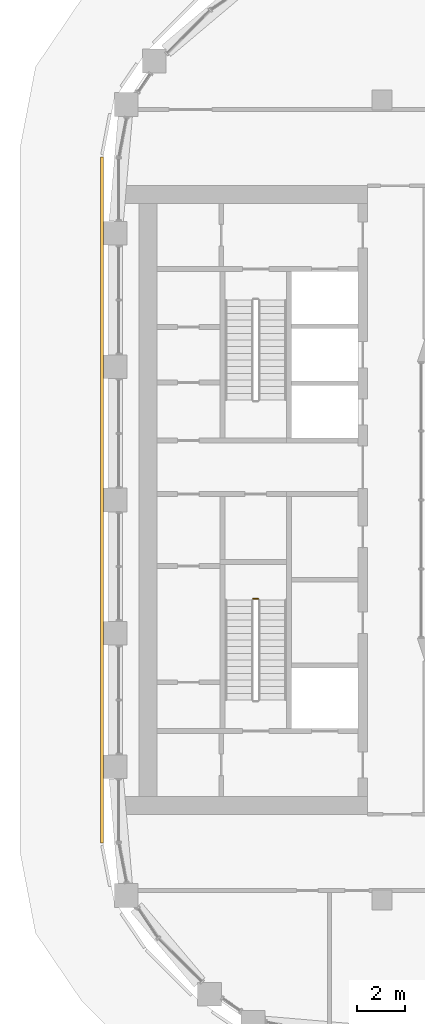
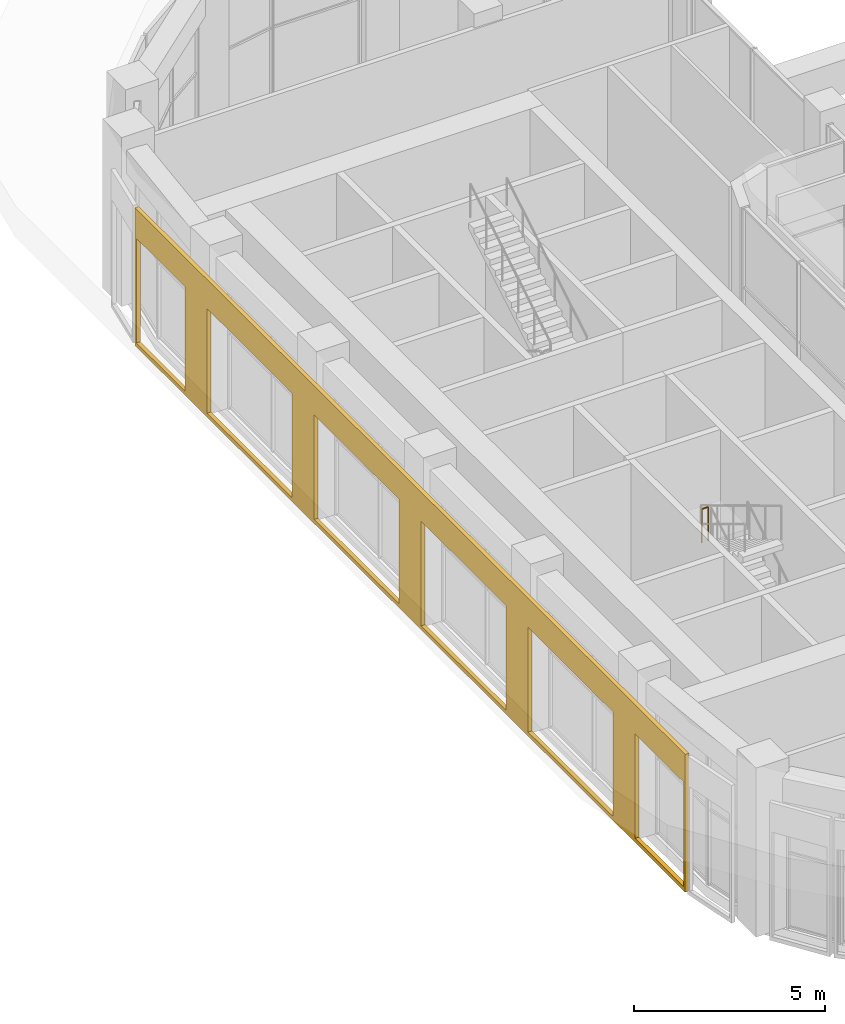
# One storey, part 22 of 28: 1 covering, 1 railing.
"""IFC4 building model written with IfcOpenShell, lengths in metres."""

from ifc_helpers import new_model, si_unit, direction, frame, origin, origin_2d, place, context, subcontext, project, spatial, polyline, circle, outline, extrude, material, layer, layer_set, type_object, element, save


model = new_model("IFC4")

# Units and contexts
model_context = context("Model", 3, precision=1e-05, world=origin(), true_north=direction((0.0, 1.0)))
body_context = subcontext(model_context, "Body", "Model", "MODEL_VIEW")
ifc_project = project(units=[si_unit("LENGTHUNIT", "METRE"), si_unit("AREAUNIT", "SQUARE_METRE"), si_unit("VOLUMEUNIT", "CUBIC_METRE"), si_unit("PLANEANGLEUNIT", "RADIAN"), si_unit("MASSUNIT", "GRAM", prefix="KILO")], contexts=[model_context])

# Site, building, storey
site_placement = place(None, origin())
site = spatial("IfcSite", under=ifc_project, at=site_placement, CompositionType="ELEMENT")
building_placement = place(site_placement, origin())
building = spatial("IfcBuilding", under=site, at=building_placement, Name="Kiln Ring Residences", CompositionType="ELEMENT")
storey_placement = place(building_placement, frame((0.0, 0.0, 178.10009765625)))
storey = spatial("IfcBuildingStorey", under=building, at=storey_placement, Name="L46", CompositionType="ELEMENT", Elevation=178.10009765625)

# Railing
ifc_material_1 = material(Name="Stainless steel", Category="steel")
railing_type = type_object("IfcRailingType", Name="CORE-STAIR-GUARD", PredefinedType="GUARDRAIL", material=ifc_material_1)
railing_placement = place(storey_placement, frame((-22.0, -4.14990234375, 2.699951171875)))
element("IfcRailing", 1, at=railing_placement, inside=storey, type_object=railing_type, Name="L46 W-STS stair guard 2", PredefinedType="GUARDRAIL", context=body_context, shape_type="SweptSolid", body=[
    extrude(circle(Radius=0.02392578125, at=origin_2d()), frame((0.0, 0.0, 1.076171875), z_axis=(-1.0, 0.0, 0.0), x_axis=(0.0, -1.0, 0.0)), (0.0, 0.0, 1.0), 0.199951171875),
    extrude(circle(Radius=0.02099609375, at=origin_2d()), origin(), (0.0, 0.0, 1.0), 1.052001953125),
    extrude(circle(Radius=0.02099609375, at=origin_2d()), frame((-0.199951171875, 0.0, 0.0)), (0.0, 0.0, 1.0), 1.052001953125),
])

# Covering
ifc_material_2 = material(Name="Brick masonry, dark clay brick", Category="masonry")
ifc_layer = layer(ifc_material_2, 0.1201171875)
ifc_layer_set = layer_set([ifc_layer], Name="RAINSCREEN PANEL 120")
covering_type = type_object("IfcCoveringType", Name="RAINSCREEN PANEL 120", PredefinedType="CLADDING", material=ifc_layer_set)
covering_placement = place(storey_placement, frame((-28.56005859375, 14.39990234375, 0.0), z_axis=(0.0, 0.0, 1.0), x_axis=(0.0, -1.0, 0.0)))
element("IfcCovering", 2, at=covering_placement, inside=storey, type_object=covering_type, Name="RAINSCREEN L46", PredefinedType="CLADDING", context=body_context, shape_type="SweptSolid", body=[
    extrude(outline(polyline([(0.0, 0.0), (28.800048828125, 0.0), (28.800048828125, 4.39990234375), (0.0, 4.39990234375), (0.0, 0.0)]), holes=[polyline([(2.6201171875, 0.1298828125), (2.6201171875, 3.469970703125), (0.080078125, 3.469970703125), (0.080078125, 0.1298828125), (2.6201171875, 0.1298828125)]), polyline([(3.780029296875, 0.1298828125), (8.219970703125, 0.1298828125), (8.219970703125, 3.469970703125), (3.780029296875, 3.469970703125), (3.780029296875, 0.1298828125)]), polyline([(9.3798828125, 0.1298828125), (13.820068359375, 0.1298828125), (13.820068359375, 3.469970703125), (9.3798828125, 3.469970703125), (9.3798828125, 0.1298828125)]), polyline([(19.419921875, 0.1298828125), (19.419921875, 3.469970703125), (14.97998046875, 3.469970703125), (14.97998046875, 0.1298828125), (19.419921875, 0.1298828125)]), polyline([(20.580078125, 0.1298828125), (25.02001953125, 0.1298828125), (25.02001953125, 3.469970703125), (20.580078125, 3.469970703125), (20.580078125, 0.1298828125)]), polyline([(26.179931640625, 0.1298828125), (28.719970703125, 0.1298828125), (28.719970703125, 3.469970703125), (26.179931640625, 3.469970703125), (26.179931640625, 0.1298828125)])]), frame((0.0, 0.06005859375, 0.0), z_axis=(0.0, -1.0, 0.0), x_axis=(1.0, 0.0, 0.0)), (0.0, 0.0, 1.0), 0.1201171875),
])

save(model, "model.ifc")
